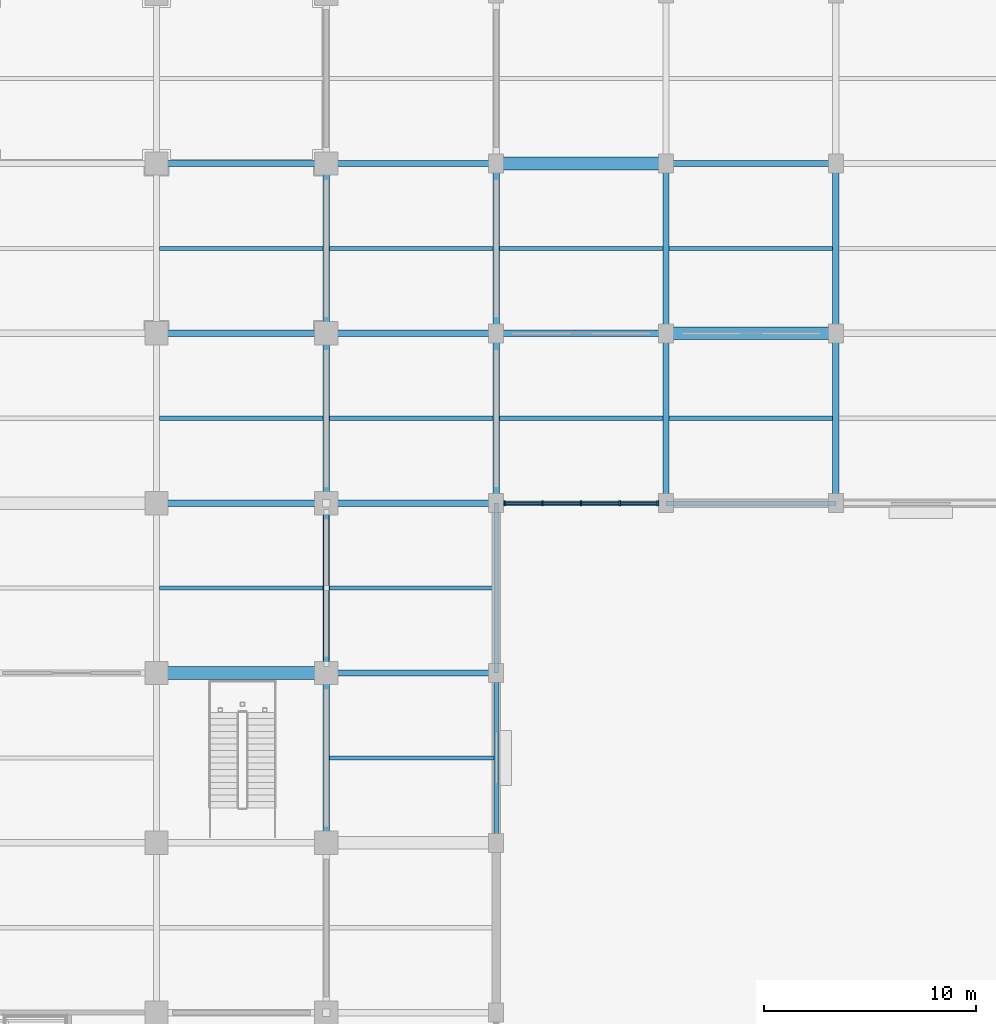
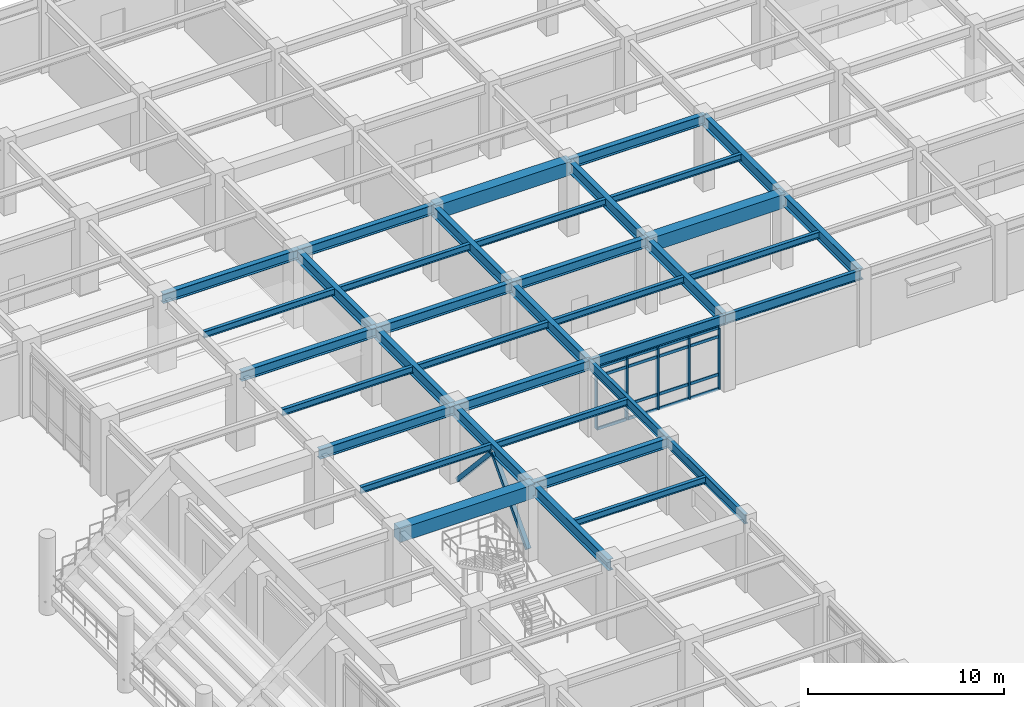
# One storey, part 49 of 125: 37 beams, 23 members, 1 element without a shape of its own.
"""IFC4 building model written with IfcOpenShell, lengths in metres."""

from ifc_helpers import new_model, si_unit, direction, frame, origin, origin_2d, place, context, subcontext, project, spatial, rectangle, hollow_rectangle, i_section, extrude, material, layer, layer_set, material_profile, profile_set, type_object, element, aggregate, save


model = new_model("IFC4")

# Units and contexts
model_context = context("Model", 3, precision=1e-05, world=origin(), true_north=direction((0.0, 1.0)))
body_context = subcontext(model_context, "Body", "Model", "MODEL_VIEW")
ifc_project = project(units=[si_unit("LENGTHUNIT", "METRE"), si_unit("AREAUNIT", "SQUARE_METRE"), si_unit("VOLUMEUNIT", "CUBIC_METRE"), si_unit("PLANEANGLEUNIT", "RADIAN"), si_unit("MASSUNIT", "GRAM", prefix="KILO")], contexts=[model_context])

# Site, building, storey
site_placement = place(None, origin())
site = spatial("IfcSite", under=ifc_project, at=site_placement, CompositionType="ELEMENT")
building_placement = place(site_placement, origin())
building = spatial("IfcBuilding", under=site, at=building_placement, Name="Haebicheon Civic Stadium", CompositionType="ELEMENT")
storey_placement = place(building_placement, origin())
storey = spatial("IfcBuildingStorey", under=building, at=storey_placement, Name="L01", CompositionType="ELEMENT", Elevation=0.0)

# Beams
ifc_material_1 = material(Name="Steel SM355 (S355)", Category="steel")
ifc_material_profile_1 = material_profile(ifc_material_1, i_section(OverallWidth=0.300048828125, OverallDepth=0.60009765625, WebThickness=0.011962890625, FlangeThickness=0.02001953125, at=origin_2d()), Name="H-600x300x12x20")
ifc_profile_set_1 = profile_set([ifc_material_profile_1], Name="Steel SM355 (S355)")
beam_type_1 = type_object("IfcBeamType", Name="BM-ST-H600A", PredefinedType="BEAM", material=ifc_profile_set_1)
for number, where, z_axis, x_axis, name in (
    (1, (152.0, 136.0, 4.219970703125), (1.0, 0.0, 0.0), (0.0, 1.0, 0.0), "L01 beam T/20-21"),
    (2, (152.0, 144.0, 4.219970703125), (1.0, 0.0, 0.0), (0.0, 1.0, 0.0), "L01 beam U/20-21"),
    (3, (152.0, 152.0, 4.219970703125), (1.0, 0.0, 0.0), (0.0, 1.0, 0.0), "L01 beam V/20-21"),
    (4, (160.0, 128.0, 4.219970703125), (1.0, 0.0, 0.0), (0.0, 1.0, 0.0), "L01 beam S/21-22"),
    (5, (160.0, 136.0, 4.219970703125), (1.0, 0.0, 0.0), (0.0, 1.0, 0.0), "L01 beam T/21-22"),
    (6, (160.0, 144.0, 4.219970703125), (1.0, 0.0, 0.0), (0.0, 1.0, 0.0), "L01 beam U/21-22"),
    (7, (160.0, 152.0, 4.219970703125), (1.0, 0.0, 0.0), (0.0, 1.0, 0.0), "L01 beam V/21-22"),
    (8, (168.0, 144.0, 4.219970703125), (1.0, 0.0, 0.0), (0.0, 1.0, 0.0), "L01 beam U/22-23"),
    (9, (176.0, 152.0, 4.219970703125), (1.0, 0.0, 0.0), (0.0, 1.0, 0.0), "L01 beam V/23-24"),
):
    element("IfcBeam", number, at=place(storey_placement, frame(where, z_axis=z_axis, x_axis=x_axis)), inside=storey, type_object=beam_type_1, material=ifc_profile_set_1, Name=name, PredefinedType="BEAM", context=body_context, shape_type="SweptSolid", body=[
        extrude(i_section(OverallWidth=0.300048828125, OverallDepth=0.60009765625, WebThickness=0.011962890625, FlangeThickness=0.02001953125, at=origin_2d()), origin(), (0.0, 0.0, 1.0), 8.0),
    ])
ifc_material_2 = material(Name="Steel SM490", Category="steel")
ifc_material_profile_2 = material_profile(ifc_material_2, i_section(OverallWidth=0.300048828125, OverallDepth=0.699951171875, WebThickness=0.012939453125, FlangeThickness=0.02392578125, at=origin_2d()), Name="H-700x300x13x24")
ifc_profile_set_2 = profile_set([ifc_material_profile_2], Name="Steel SM490")
beam_type_2 = type_object("IfcBeamType", Name="BM-ST-H700", PredefinedType="BEAM", material=ifc_profile_set_2)
for number, where, z_axis, x_axis, name in (
    (10, (160.0, 120.0, 4.169921875), (0.0, 1.0, 0.0), (-1.0, 0.0, 0.0), "L01 girder 21/R-S"),
    (11, (160.0, 128.0, 4.169921875), (0.0, 1.0, 0.0), (-1.0, 0.0, 0.0), "L01 girder 21/S-T"),
    (12, (160.0, 136.0, 4.169921875), (0.0, 1.0, 0.0), (-1.0, 0.0, 0.0), "L01 girder 21/T-U"),
    (13, (160.0, 144.0, 4.169921875), (0.0, 1.0, 0.0), (-1.0, 0.0, 0.0), "L01 girder 21/U-V"),
    (14, (168.0, 136.0, 4.169921875), (0.0, 1.0, 0.0), (-1.0, 0.0, 0.0), "L01 girder 22/T-U"),
    (15, (168.0, 144.0, 4.169921875), (0.0, 1.0, 0.0), (-1.0, 0.0, 0.0), "L01 girder 22/U-V"),
    (16, (176.0, 136.0, 4.169921875), (0.0, 1.0, 0.0), (-1.0, 0.0, 0.0), "L01 girder 23/T-U"),
    (17, (176.0, 144.0, 4.169921875), (0.0, 1.0, 0.0), (-1.0, 0.0, 0.0), "L01 girder 23/U-V"),
    (18, (184.0, 136.0, 4.169921875), (0.0, 1.0, 0.0), (-1.0, 0.0, 0.0), "L01 girder 24/T-U"),
    (19, (184.0, 144.0, 4.169921875), (0.0, 1.0, 0.0), (-1.0, 0.0, 0.0), "L01 girder 24/U-V"),
):
    element("IfcBeam", number, at=place(storey_placement, frame(where, z_axis=z_axis, x_axis=x_axis)), inside=storey, type_object=beam_type_2, material=ifc_profile_set_2, Name=name, PredefinedType="BEAM", context=body_context, shape_type="SweptSolid", body=[
        extrude(i_section(OverallWidth=0.300048828125, OverallDepth=0.699951171875, WebThickness=0.012939453125, FlangeThickness=0.02392578125, at=origin_2d()), origin(), (0.0, 0.0, 1.0), 8.0),
    ])
ifc_material_3 = material(Name="Precast concrete C40/50", Category="concrete")
ifc_material_profile_3 = material_profile(ifc_material_3, rectangle(XDim=0.60009765625, YDim=0.85009765625, at=origin_2d()), Name="PC-TB-600x850")
ifc_profile_set_3 = profile_set([ifc_material_profile_3], Name="Precast concrete C40/50")
beam_type_3 = type_object("IfcBeamType", Name="BM-TB-600x850", PredefinedType="T_BEAM", material=ifc_profile_set_3)
for number, where, z_axis, x_axis, name in (
    (20, (152.0, 128.0, 4.094970703125), (1.0, 0.0, 0.0), (0.0, 1.0, 0.0), "L01 beam S/20-21"),
    (21, (168.0, 152.0, 4.094970703125), (1.0, 0.0, 0.0), (0.0, 1.0, 0.0), "L01 beam V/22-23"),
    (22, (176.0, 144.0, 4.094970703125), (1.0, 0.0, 0.0), (0.0, 1.0, 0.0), "L01 beam U/23-24"),
):
    element("IfcBeam", number, at=place(storey_placement, frame(where, z_axis=z_axis, x_axis=x_axis)), inside=storey, type_object=beam_type_3, material=ifc_profile_set_3, Name=name, PredefinedType="T_BEAM", context=body_context, shape_type="SweptSolid", body=[
        extrude(rectangle(XDim=0.60009765625, YDim=0.85009765625, at=origin_2d()), origin(), (0.0, 0.0, 1.0), 8.0),
    ])

# Members
ifc_material_4 = material(Name="Steel SM490", Category="steel")
ifc_material_profile_4 = material_profile(ifc_material_4, hollow_rectangle(XDim=0.25, YDim=0.25, WallThickness=0.011962890625, at=origin_2d()), Name="RHS-250x250x12.0")
ifc_profile_set_4 = profile_set([ifc_material_profile_4], Name="Steel SM490")
member_type_1 = type_object("IfcMemberType", Name="BRC-RHS250", PredefinedType="BRACE", material=ifc_profile_set_4)
for number, where, z_axis, x_axis, name in (
    (23, (160.0, 128.419921875, 0.0400390625), (0.0, 0.676254882326, 0.736667723014), (-1.0, 0.0, 0.0), "BR250 chevron brace L01 19-16 A"),
    (24, (160.0, 135.580078125, 0.0400390625), (0.0, -0.676254882326, 0.736667723014), (1.0, 0.0, 0.0), "BR250 chevron brace L01 19-16 B"),
):
    element("IfcMember", number, at=place(storey_placement, frame(where, z_axis=z_axis, x_axis=x_axis)), inside=storey, type_object=member_type_1, material=ifc_profile_set_4, Name=name, PredefinedType="BRACE", context=body_context, shape_type="SweptSolid", body=[
        extrude(hollow_rectangle(XDim=0.25, YDim=0.25, WallThickness=0.011962890625, at=origin_2d()), origin(), (0.0, 0.0, 1.0), 5.2939453125),
    ])

# Curtain wall, members
ifc_material_5 = material(Name="Anodised aluminium and laminated glass", Category="aluminium")
ifc_layer = layer(ifc_material_5, 0.179931640625, Name="Anodised aluminium and laminated glass")
ifc_layer_set = layer_set([ifc_layer], Name="Anodised aluminium and laminated glass")
curtain_wall_type = type_object("IfcCurtainWallType", Name="CW-7300x3810", PredefinedType="NOTDEFINED", material=ifc_layer_set)
curtain_wall_placement = place(storey_placement, origin())
curtain_wall = element("IfcCurtainWall", 25, at=curtain_wall_placement, inside=storey, type_object=curtain_wall_type, material=ifc_layer_set, Name="L01 unitised curtain wall 020", PredefinedType="NOTDEFINED")
ifc_material_6 = material(Name="Anodised aluminium 6063-T6", Category="aluminium")
ifc_material_profile_5 = material_profile(ifc_material_6, rectangle(XDim=0.080078125, YDim=0.239990234375, at=origin_2d()), Name="ALU-MULL-80x240")
ifc_profile_set_5 = profile_set([ifc_material_profile_5], Name="Anodised aluminium 6063-T6")
member_type_2 = type_object("IfcMemberType", Name="CWM-240x80", PredefinedType="MULLION", material=ifc_profile_set_5)
member_1_placement = place(storey_placement, frame((168.389892578125, 136.0, 0.0), z_axis=(0.0, 0.0, 1.0), x_axis=(1.0, 0.0, 0.0)))
member_1 = element("IfcMember", 26, at=member_1_placement, type_object=member_type_2, material=ifc_profile_set_5, Name="CW-L01-020 vertical mullion 1", PredefinedType="MULLION", context=body_context, shape_type="SweptSolid", body=[
    extrude(rectangle(XDim=0.080078125, YDim=0.239990234375, at=origin_2d()), origin(), (0.0, 0.0, 1.0), 3.81005859375),
])
member_2_placement = place(storey_placement, frame((170.175048828125, 136.0, 0.0), z_axis=(0.0, 0.0, 1.0), x_axis=(1.0, 0.0, 0.0)))
member_2 = element("IfcMember", 27, at=member_2_placement, type_object=member_type_2, material=ifc_profile_set_5, Name="CW-L01-020 vertical mullion 2", PredefinedType="MULLION", context=body_context, shape_type="SweptSolid", body=[
    extrude(rectangle(XDim=0.080078125, YDim=0.239990234375, at=origin_2d()), origin(), (0.0, 0.0, 1.0), 3.81005859375),
])
member_3_placement = place(storey_placement, frame((172.0, 136.0, 0.0), z_axis=(0.0, 0.0, 1.0), x_axis=(1.0, 0.0, 0.0)))
member_3 = element("IfcMember", 28, at=member_3_placement, type_object=member_type_2, material=ifc_profile_set_5, Name="CW-L01-020 vertical mullion 3", PredefinedType="MULLION", context=body_context, shape_type="SweptSolid", body=[
    extrude(rectangle(XDim=0.080078125, YDim=0.239990234375, at=origin_2d()), origin(), (0.0, 0.0, 1.0), 3.81005859375),
])
member_4_placement = place(storey_placement, frame((173.824951171875, 136.0, 0.0), z_axis=(0.0, 0.0, 1.0), x_axis=(1.0, 0.0, 0.0)))
member_4 = element("IfcMember", 29, at=member_4_placement, type_object=member_type_2, material=ifc_profile_set_5, Name="CW-L01-020 vertical mullion 4", PredefinedType="MULLION", context=body_context, shape_type="SweptSolid", body=[
    extrude(rectangle(XDim=0.080078125, YDim=0.239990234375, at=origin_2d()), origin(), (0.0, 0.0, 1.0), 3.81005859375),
])
member_5_placement = place(storey_placement, frame((175.610107421875, 136.0, 0.0), z_axis=(0.0, 0.0, 1.0), x_axis=(1.0, 0.0, 0.0)))
member_5 = element("IfcMember", 30, at=member_5_placement, type_object=member_type_2, material=ifc_profile_set_5, Name="CW-L01-020 vertical mullion 5", PredefinedType="MULLION", context=body_context, shape_type="SweptSolid", body=[
    extrude(rectangle(XDim=0.080078125, YDim=0.239990234375, at=origin_2d()), origin(), (0.0, 0.0, 1.0), 3.81005859375),
])
ifc_material_7 = material(Name="Anodised aluminium 6063-T6", Category="aluminium")
ifc_material_profile_6 = material_profile(ifc_material_7, rectangle(XDim=0.080078125, YDim=0.179931640625, at=origin_2d()), Name="ALU-TRAN-80x180")
ifc_profile_set_6 = profile_set([ifc_material_profile_6], Name="Anodised aluminium 6063-T6")
member_type_3 = type_object("IfcMemberType", Name="CWT-180x80", PredefinedType="NOTDEFINED", material=ifc_profile_set_6)
member_6_placement = place(storey_placement, frame((168.429931640625, 136.0, 0.0), z_axis=(1.0, 0.0, 0.0), x_axis=(0.0, 1.0, 0.0)))
member_6 = element("IfcMember", 31, at=member_6_placement, type_object=member_type_3, material=ifc_profile_set_6, Name="CW-L01-020 horizontal transom 1.1", ObjectType="TRANSOM", PredefinedType="USERDEFINED", context=body_context, shape_type="SweptSolid", body=[
    extrude(rectangle(XDim=0.080078125, YDim=0.179931640625, at=origin_2d()), origin(), (0.0, 0.0, 1.0), 1.705078125),
])
member_7_placement = place(storey_placement, frame((168.429931640625, 136.0, 0.89990234375), z_axis=(1.0, 0.0, 0.0), x_axis=(0.0, 1.0, 0.0)))
member_7 = element("IfcMember", 32, at=member_7_placement, type_object=member_type_3, material=ifc_profile_set_6, Name="CW-L01-020 horizontal transom 1.2", ObjectType="TRANSOM", PredefinedType="USERDEFINED", context=body_context, shape_type="SweptSolid", body=[
    extrude(rectangle(XDim=0.080078125, YDim=0.179931640625, at=origin_2d()), origin(), (0.0, 0.0, 1.0), 1.705078125),
])
member_8_placement = place(storey_placement, frame((168.429931640625, 136.0, 3.260009765625), z_axis=(1.0, 0.0, 0.0), x_axis=(0.0, 1.0, 0.0)))
member_8 = element("IfcMember", 33, at=member_8_placement, type_object=member_type_3, material=ifc_profile_set_6, Name="CW-L01-020 horizontal transom 1.3", ObjectType="TRANSOM", PredefinedType="USERDEFINED", context=body_context, shape_type="SweptSolid", body=[
    extrude(rectangle(XDim=0.080078125, YDim=0.179931640625, at=origin_2d()), origin(), (0.0, 0.0, 1.0), 1.705078125),
])
member_9_placement = place(storey_placement, frame((168.429931640625, 136.0, 3.81005859375), z_axis=(1.0, 0.0, 0.0), x_axis=(0.0, 1.0, 0.0)))
member_9 = element("IfcMember", 34, at=member_9_placement, type_object=member_type_3, material=ifc_profile_set_6, Name="CW-L01-020 horizontal transom 1.4", ObjectType="TRANSOM", PredefinedType="USERDEFINED", context=body_context, shape_type="SweptSolid", body=[
    extrude(rectangle(XDim=0.080078125, YDim=0.179931640625, at=origin_2d()), origin(), (0.0, 0.0, 1.0), 1.705078125),
])
member_10_placement = place(storey_placement, frame((170.215087890625, 136.0, 0.0), z_axis=(1.0, 0.0, 0.0), x_axis=(0.0, 1.0, 0.0)))
member_10 = element("IfcMember", 35, at=member_10_placement, type_object=member_type_3, material=ifc_profile_set_6, Name="CW-L01-020 horizontal transom 2.1", ObjectType="TRANSOM", PredefinedType="USERDEFINED", context=body_context, shape_type="SweptSolid", body=[
    extrude(rectangle(XDim=0.080078125, YDim=0.179931640625, at=origin_2d()), origin(), (0.0, 0.0, 1.0), 1.744873046875),
])
member_11_placement = place(storey_placement, frame((170.215087890625, 136.0, 0.89990234375), z_axis=(1.0, 0.0, 0.0), x_axis=(0.0, 1.0, 0.0)))
member_11 = element("IfcMember", 36, at=member_11_placement, type_object=member_type_3, material=ifc_profile_set_6, Name="CW-L01-020 horizontal transom 2.2", ObjectType="TRANSOM", PredefinedType="USERDEFINED", context=body_context, shape_type="SweptSolid", body=[
    extrude(rectangle(XDim=0.080078125, YDim=0.179931640625, at=origin_2d()), origin(), (0.0, 0.0, 1.0), 1.744873046875),
])
member_12_placement = place(storey_placement, frame((170.215087890625, 136.0, 3.260009765625), z_axis=(1.0, 0.0, 0.0), x_axis=(0.0, 1.0, 0.0)))
member_12 = element("IfcMember", 37, at=member_12_placement, type_object=member_type_3, material=ifc_profile_set_6, Name="CW-L01-020 horizontal transom 2.3", ObjectType="TRANSOM", PredefinedType="USERDEFINED", context=body_context, shape_type="SweptSolid", body=[
    extrude(rectangle(XDim=0.080078125, YDim=0.179931640625, at=origin_2d()), origin(), (0.0, 0.0, 1.0), 1.744873046875),
])
member_13_placement = place(storey_placement, frame((170.215087890625, 136.0, 3.81005859375), z_axis=(1.0, 0.0, 0.0), x_axis=(0.0, 1.0, 0.0)))
member_13 = element("IfcMember", 38, at=member_13_placement, type_object=member_type_3, material=ifc_profile_set_6, Name="CW-L01-020 horizontal transom 2.4", ObjectType="TRANSOM", PredefinedType="USERDEFINED", context=body_context, shape_type="SweptSolid", body=[
    extrude(rectangle(XDim=0.080078125, YDim=0.179931640625, at=origin_2d()), origin(), (0.0, 0.0, 1.0), 1.744873046875),
])
member_14_placement = place(storey_placement, frame((172.0400390625, 136.0, 0.0), z_axis=(1.0, 0.0, 0.0), x_axis=(0.0, 1.0, 0.0)))
member_14 = element("IfcMember", 39, at=member_14_placement, type_object=member_type_3, material=ifc_profile_set_6, Name="CW-L01-020 horizontal transom 3.1", ObjectType="TRANSOM", PredefinedType="USERDEFINED", context=body_context, shape_type="SweptSolid", body=[
    extrude(rectangle(XDim=0.080078125, YDim=0.179931640625, at=origin_2d()), origin(), (0.0, 0.0, 1.0), 1.744873046875),
])
member_15_placement = place(storey_placement, frame((172.0400390625, 136.0, 0.89990234375), z_axis=(1.0, 0.0, 0.0), x_axis=(0.0, 1.0, 0.0)))
member_15 = element("IfcMember", 40, at=member_15_placement, type_object=member_type_3, material=ifc_profile_set_6, Name="CW-L01-020 horizontal transom 3.2", ObjectType="TRANSOM", PredefinedType="USERDEFINED", context=body_context, shape_type="SweptSolid", body=[
    extrude(rectangle(XDim=0.080078125, YDim=0.179931640625, at=origin_2d()), origin(), (0.0, 0.0, 1.0), 1.744873046875),
])
member_16_placement = place(storey_placement, frame((172.0400390625, 136.0, 3.260009765625), z_axis=(1.0, 0.0, 0.0), x_axis=(0.0, 1.0, 0.0)))
member_16 = element("IfcMember", 41, at=member_16_placement, type_object=member_type_3, material=ifc_profile_set_6, Name="CW-L01-020 horizontal transom 3.3", ObjectType="TRANSOM", PredefinedType="USERDEFINED", context=body_context, shape_type="SweptSolid", body=[
    extrude(rectangle(XDim=0.080078125, YDim=0.179931640625, at=origin_2d()), origin(), (0.0, 0.0, 1.0), 1.744873046875),
])
member_17_placement = place(storey_placement, frame((172.0400390625, 136.0, 3.81005859375), z_axis=(1.0, 0.0, 0.0), x_axis=(0.0, 1.0, 0.0)))
member_17 = element("IfcMember", 42, at=member_17_placement, type_object=member_type_3, material=ifc_profile_set_6, Name="CW-L01-020 horizontal transom 3.4", ObjectType="TRANSOM", PredefinedType="USERDEFINED", context=body_context, shape_type="SweptSolid", body=[
    extrude(rectangle(XDim=0.080078125, YDim=0.179931640625, at=origin_2d()), origin(), (0.0, 0.0, 1.0), 1.744873046875),
])
member_18_placement = place(storey_placement, frame((173.864990234375, 136.0, 0.0), z_axis=(1.0, 0.0, 0.0), x_axis=(0.0, 1.0, 0.0)))
member_18 = element("IfcMember", 43, at=member_18_placement, type_object=member_type_3, material=ifc_profile_set_6, Name="CW-L01-020 horizontal transom 4.1", ObjectType="TRANSOM", PredefinedType="USERDEFINED", context=body_context, shape_type="SweptSolid", body=[
    extrude(rectangle(XDim=0.080078125, YDim=0.179931640625, at=origin_2d()), origin(), (0.0, 0.0, 1.0), 1.705078125),
])
member_19_placement = place(storey_placement, frame((173.864990234375, 136.0, 0.89990234375), z_axis=(1.0, 0.0, 0.0), x_axis=(0.0, 1.0, 0.0)))
member_19 = element("IfcMember", 44, at=member_19_placement, type_object=member_type_3, material=ifc_profile_set_6, Name="CW-L01-020 horizontal transom 4.2", ObjectType="TRANSOM", PredefinedType="USERDEFINED", context=body_context, shape_type="SweptSolid", body=[
    extrude(rectangle(XDim=0.080078125, YDim=0.179931640625, at=origin_2d()), origin(), (0.0, 0.0, 1.0), 1.705078125),
])
member_20_placement = place(storey_placement, frame((173.864990234375, 136.0, 3.260009765625), z_axis=(1.0, 0.0, 0.0), x_axis=(0.0, 1.0, 0.0)))
member_20 = element("IfcMember", 45, at=member_20_placement, type_object=member_type_3, material=ifc_profile_set_6, Name="CW-L01-020 horizontal transom 4.3", ObjectType="TRANSOM", PredefinedType="USERDEFINED", context=body_context, shape_type="SweptSolid", body=[
    extrude(rectangle(XDim=0.080078125, YDim=0.179931640625, at=origin_2d()), origin(), (0.0, 0.0, 1.0), 1.705078125),
])
member_21_placement = place(storey_placement, frame((173.864990234375, 136.0, 3.81005859375), z_axis=(1.0, 0.0, 0.0), x_axis=(0.0, 1.0, 0.0)))
member_21 = element("IfcMember", 46, at=member_21_placement, type_object=member_type_3, material=ifc_profile_set_6, Name="CW-L01-020 horizontal transom 4.4", ObjectType="TRANSOM", PredefinedType="USERDEFINED", context=body_context, shape_type="SweptSolid", body=[
    extrude(rectangle(XDim=0.080078125, YDim=0.179931640625, at=origin_2d()), origin(), (0.0, 0.0, 1.0), 1.705078125),
])
aggregate(curtain_wall, [member_1, member_2, member_3, member_4, member_5, member_6, member_7, member_8, member_9, member_10, member_11, member_12, member_13, member_14, member_15, member_16, member_17, member_18, member_19, member_20, member_21])

# Beams
ifc_material_8 = material(Name="Steel SM355 (S355)", Category="steel")
ifc_material_profile_7 = material_profile(ifc_material_8, i_section(OverallWidth=0.199951171875, OverallDepth=0.39990234375, WebThickness=0.008056640625, FlangeThickness=0.012939453125, at=origin_2d()), Name="H-400x200x8x13")
ifc_profile_set_7 = profile_set([ifc_material_profile_7], Name="Steel SM355 (S355)")
beam_type_4 = type_object("IfcBeamType", Name="JST-ST-H400", PredefinedType="JOIST", material=ifc_profile_set_7)
for number, where, z_axis, x_axis, name in (
    (47, (152.14990234375, 132.0, 4.320068359375), (1.0, 0.0, 0.0), (0.0, 1.0, 0.0), "L01 secondary joist 19-16"),
    (48, (152.14990234375, 140.0, 4.320068359375), (1.0, 0.0, 0.0), (0.0, 1.0, 0.0), "L01 secondary joist 19-17"),
    (49, (152.14990234375, 148.0, 4.320068359375), (1.0, 0.0, 0.0), (0.0, 1.0, 0.0), "L01 secondary joist 19-18"),
):
    element("IfcBeam", number, at=place(storey_placement, frame(where, z_axis=z_axis, x_axis=x_axis)), inside=storey, type_object=beam_type_4, material=ifc_profile_set_7, Name=name, PredefinedType="JOIST", context=body_context, shape_type="SweptSolid", body=[
        extrude(i_section(OverallWidth=0.199951171875, OverallDepth=0.39990234375, WebThickness=0.008056640625, FlangeThickness=0.012939453125, at=origin_2d()), origin(), (0.0, 0.0, 1.0), 7.7001953125),
    ])
for number, where, z_axis, x_axis, name in (
    (50, (160.14990234375, 124.0, 4.320068359375), (1.0, 0.0, 0.0), (0.0, 1.0, 0.0), "L01 secondary joist 20-15"),
    (51, (160.14990234375, 132.0, 4.320068359375), (1.0, 0.0, 0.0), (0.0, 1.0, 0.0), "L01 secondary joist 20-16"),
):
    element("IfcBeam", number, at=place(storey_placement, frame(where, z_axis=z_axis, x_axis=x_axis)), inside=storey, type_object=beam_type_4, material=ifc_profile_set_7, Name=name, PredefinedType="JOIST", context=body_context, shape_type="SweptSolid", body=[
        extrude(i_section(OverallWidth=0.199951171875, OverallDepth=0.39990234375, WebThickness=0.008056640625, FlangeThickness=0.012939453125, at=origin_2d()), origin(), (0.0, 0.0, 1.0), 7.75),
    ])
for number, where, z_axis, x_axis, name in (
    (52, (160.14990234375, 140.0, 4.320068359375), (1.0, 0.0, 0.0), (0.0, 1.0, 0.0), "L01 secondary joist 20-17"),
    (53, (160.14990234375, 148.0, 4.320068359375), (1.0, 0.0, 0.0), (0.0, 1.0, 0.0), "L01 secondary joist 20-18"),
    (54, (168.14990234375, 140.0, 4.320068359375), (1.0, 0.0, 0.0), (0.0, 1.0, 0.0), "L01 secondary joist 21-17"),
    (55, (168.14990234375, 148.0, 4.320068359375), (1.0, 0.0, 0.0), (0.0, 1.0, 0.0), "L01 secondary joist 21-18"),
    (56, (176.14990234375, 140.0, 4.320068359375), (1.0, 0.0, 0.0), (0.0, 1.0, 0.0), "L01 secondary joist 22-17"),
    (57, (176.14990234375, 148.0, 4.320068359375), (1.0, 0.0, 0.0), (0.0, 1.0, 0.0), "L01 secondary joist 22-18"),
):
    element("IfcBeam", number, at=place(storey_placement, frame(where, z_axis=z_axis, x_axis=x_axis)), inside=storey, type_object=beam_type_4, material=ifc_profile_set_7, Name=name, PredefinedType="JOIST", context=body_context, shape_type="SweptSolid", body=[
        extrude(i_section(OverallWidth=0.199951171875, OverallDepth=0.39990234375, WebThickness=0.008056640625, FlangeThickness=0.012939453125, at=origin_2d()), origin(), (0.0, 0.0, 1.0), 7.7001953125),
    ])
ifc_material_9 = material(Name="Steel SM355 (S355)", Category="steel")
ifc_material_profile_8 = material_profile(ifc_material_9, i_section(OverallWidth=0.199951171875, OverallDepth=0.60009765625, WebThickness=0.010986328125, FlangeThickness=0.01708984375, at=origin_2d()), Name="H-600x200x11x17")
ifc_profile_set_8 = profile_set([ifc_material_profile_8], Name="Steel SM355 (S355)")
beam_type_5 = type_object("IfcBeamType", Name="SPD-ST-H600B", PredefinedType="SPANDREL", material=ifc_profile_set_8)
for number, where, z_axis, x_axis, name in (
    (58, (168.0, 120.0, 4.219970703125), (0.0, 1.0, 0.0), (-1.0, 0.0, 0.0), "L01 girder 22/R-S"),
    (59, (168.0, 128.0, 4.219970703125), (0.0, 1.0, 0.0), (-1.0, 0.0, 0.0), "L01 girder 22/S-T"),
    (60, (168.0, 136.0, 4.219970703125), (1.0, 0.0, 0.0), (0.0, 1.0, 0.0), "L01 beam T/22-23"),
    (61, (176.0, 136.0, 4.219970703125), (1.0, 0.0, 0.0), (0.0, 1.0, 0.0), "L01 beam T/23-24"),
):
    element("IfcBeam", number, at=place(storey_placement, frame(where, z_axis=z_axis, x_axis=x_axis)), inside=storey, type_object=beam_type_5, material=ifc_profile_set_8, Name=name, PredefinedType="SPANDREL", context=body_context, shape_type="SweptSolid", body=[
        extrude(i_section(OverallWidth=0.199951171875, OverallDepth=0.60009765625, WebThickness=0.010986328125, FlangeThickness=0.01708984375, at=origin_2d()), origin(), (0.0, 0.0, 1.0), 8.0),
    ])

save(model, "model.ifc")
